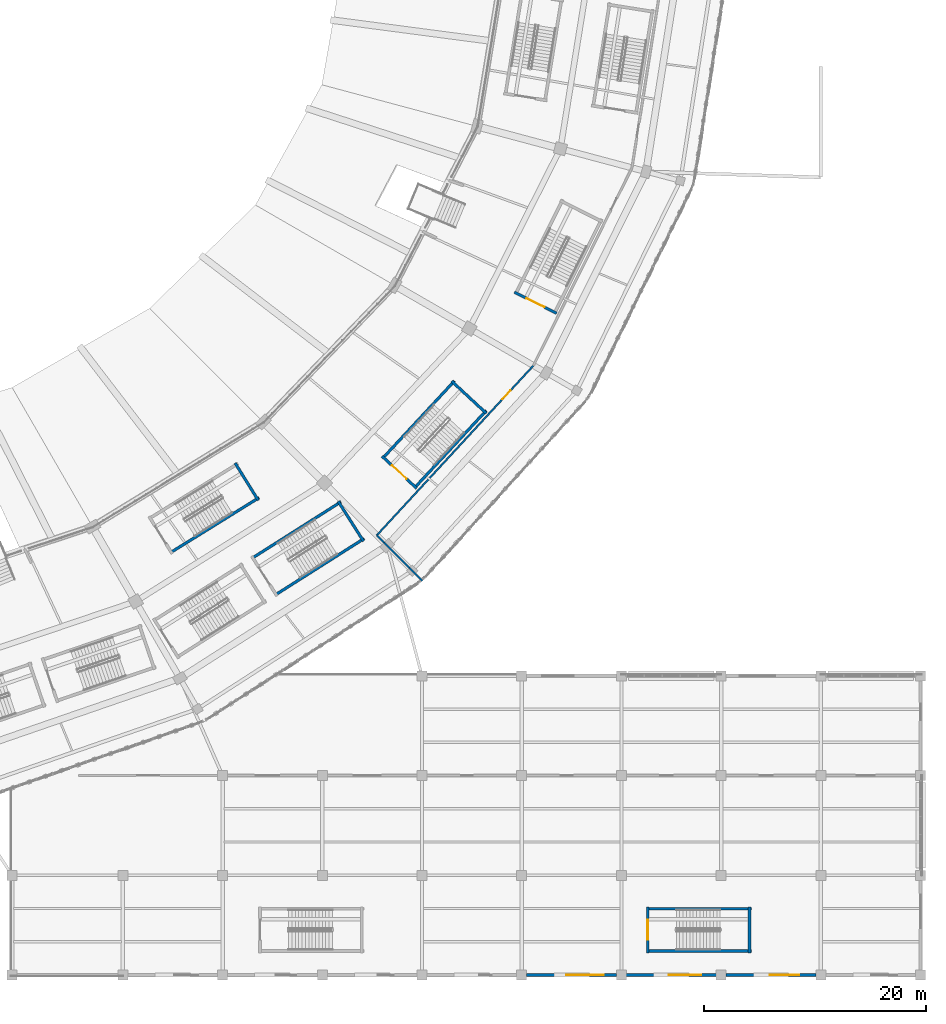
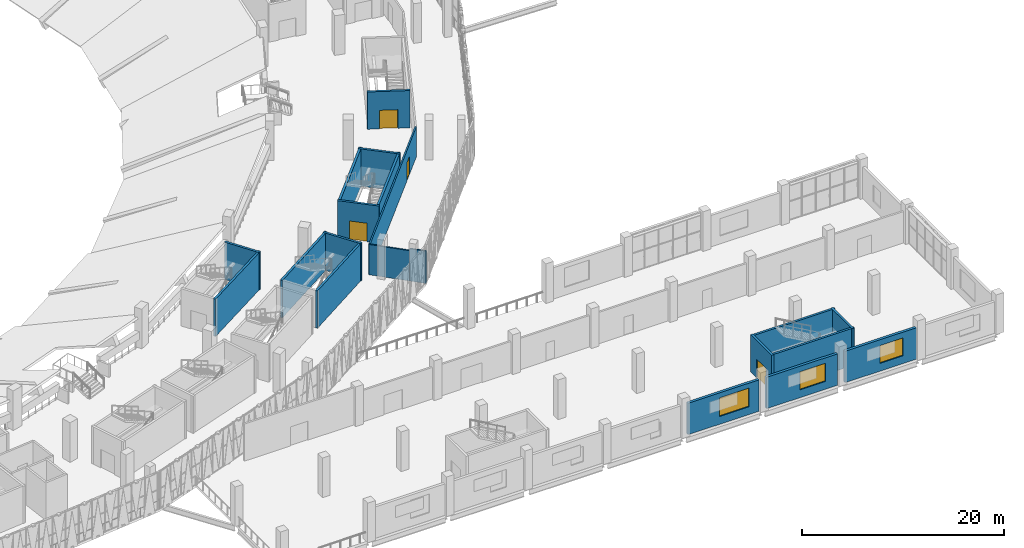
# One storey, part 103 of 183: 21 walls, 4 doors, 3 windows, 7 openings.
"""IFC4 building model written with IfcOpenShell, lengths in metres."""

from ifc_helpers import new_model, si_unit, direction, frame, frame_2d, origin, place, context, subcontext, project, spatial, rectangle, extrude, material, layer, layer_set, type_object, element, fill, save


model = new_model("IFC4")

# Units and contexts
model_context = context("Model", 3, precision=1e-05, world=origin(), true_north=direction((0.0, 1.0)))
body_context = subcontext(model_context, "Body", "Model", "MODEL_VIEW")
ifc_project = project(units=[si_unit("LENGTHUNIT", "METRE"), si_unit("AREAUNIT", "SQUARE_METRE"), si_unit("VOLUMEUNIT", "CUBIC_METRE"), si_unit("PLANEANGLEUNIT", "RADIAN"), si_unit("MASSUNIT", "GRAM", prefix="KILO")], contexts=[model_context])

# Site, building, storey
site_placement = place(None, origin())
site = spatial("IfcSite", under=ifc_project, at=site_placement, CompositionType="ELEMENT")
building_placement = place(site_placement, origin())
building = spatial("IfcBuilding", under=site, at=building_placement, Name="Zevraka Park Crest Stadium", CompositionType="ELEMENT")
storey_placement = place(building_placement, frame((0.0, 0.0, 5.39990234375)))
storey = spatial("IfcBuildingStorey", under=building, at=storey_placement, Name="L01", CompositionType="ELEMENT", Elevation=5.39990234375)

# Wall, opening, window
ifc_material_1 = material(Name="Limestone and red clay brick masonry", Category="masonry")
ifc_layer_1 = layer(ifc_material_1, 0.300048828125)
ifc_layer_set_1 = layer_set([ifc_layer_1], Name="Limestone and red clay brick masonry")
wall_type_1 = type_object("IfcWallType", Name="EW02", PredefinedType="STANDARD", material=ifc_layer_set_1)
wall_1_placement = place(storey_placement, frame((214.574951171875, 0.0, 0.0), z_axis=(0.0, 0.0, 1.0), x_axis=(-1.0, 0.0, 0.0)))
wall_1 = element("IfcWall", 1, at=wall_1_placement, inside=storey, type_object=wall_type_1, Name="Wing External Cavity Wall EW02 L01-SE-S1-2", PredefinedType="STANDARD", context=body_context, shape_type="SweptSolid", body=[
    extrude(rectangle(XDim=8.14990234375, YDim=0.300048828125, at=frame_2d((4.074951171875, 0.0))), origin(), (0.0, 0.0, 1.0), 3.8037109375),
])
opening_1_placement = place(wall_1_placement, frame((1.527099609375, 0.0, 0.949951171875)))
opening_1 = element("IfcOpeningElement", 2, at=opening_1_placement, cuts=wall_1, Name="Opening WN22", PredefinedType="OPENING", context=body_context, shape_type="SweptSolid", body=[
    extrude(rectangle(XDim=2.64990234375, YDim=2.14990234375, at=frame_2d((1.324951171875, 1.074951171875))), frame((0.0, 0.159912109375, 0.0), z_axis=(0.0, -1.0, 0.0), x_axis=(1.0, 0.0, 0.0)), (0.0, 0.0, 1.0), 0.320068359375),
])
ifc_material_2 = material(Name="Solar-control laminated double glazing in aluminium frame", Category="aluminium")
window_type_1 = type_object("IfcWindowType", Name="WN22", PartitioningType="SINGLE_PANEL", PredefinedType="WINDOW", material=ifc_material_2)
window_1_placement = place(opening_1_placement, origin())
window_1 = element("IfcWindow", 3, at=window_1_placement, inside=storey, type_object=window_type_1, Name="Facade Casement Window WN22 W-L01-104", OverallHeight=2.14990234375, OverallWidth=2.64990234375, PartitioningType="SINGLE_PANEL", PredefinedType="WINDOW", context=body_context, shape_type="SweptSolid", body=[
    extrude(rectangle(XDim=2.64990234375, YDim=2.14990234375, at=frame_2d((1.324951171875, 1.074951171875))), frame((0.0, 0.030029296875, 0.0), z_axis=(0.0, -1.0, 0.0), x_axis=(1.0, 0.0, 0.0)), (0.0, 0.0, 1.0), 0.06005859375),
])
fill(opening_1, window_1)

wall_2_placement = place(storey_placement, frame((205.574951171875, 0.0, 0.0), z_axis=(0.0, 0.0, 1.0), x_axis=(-1.0, 0.0, 0.0)))
wall_2 = element("IfcWall", 4, at=wall_2_placement, inside=storey, type_object=wall_type_1, Name="Wing External Cavity Wall EW02 L01-SE-S1-3", PredefinedType="STANDARD", context=body_context, shape_type="SweptSolid", body=[
    extrude(rectangle(XDim=8.14990234375, YDim=0.300048828125, at=frame_2d((4.074951171875, 0.0))), origin(), (0.0, 0.0, 1.0), 3.8037109375),
])
opening_2_placement = place(wall_2_placement, frame((1.376953125, 0.0, 0.949951171875)))
opening_2 = element("IfcOpeningElement", 5, at=opening_2_placement, cuts=wall_2, Name="Opening WN23", PredefinedType="OPENING", context=body_context, shape_type="SweptSolid", body=[
    extrude(rectangle(XDim=2.949951171875, YDim=2.199951171875, at=frame_2d((1.47509765625, 1.10009765625))), frame((0.0, 0.159912109375, 0.0), z_axis=(0.0, -1.0, 0.0), x_axis=(1.0, 0.0, 0.0)), (0.0, 0.0, 1.0), 0.320068359375),
])
ifc_material_3 = material(Name="Solar-control laminated double glazing in aluminium frame", Category="aluminium")
window_type_2 = type_object("IfcWindowType", Name="WN23", PartitioningType="SINGLE_PANEL", PredefinedType="WINDOW", material=ifc_material_3)
window_2_placement = place(opening_2_placement, origin())
window_2 = element("IfcWindow", 6, at=window_2_placement, inside=storey, type_object=window_type_2, Name="Facade Casement Window WN23 W-L01-105", OverallHeight=2.199951171875, OverallWidth=2.949951171875, PartitioningType="SINGLE_PANEL", PredefinedType="WINDOW", context=body_context, shape_type="SweptSolid", body=[
    extrude(rectangle(XDim=2.949951171875, YDim=2.199951171875, at=frame_2d((1.47509765625, 1.10009765625))), frame((0.0, 0.030029296875, 0.0), z_axis=(0.0, -1.0, 0.0), x_axis=(1.0, 0.0, 0.0)), (0.0, 0.0, 1.0), 0.06005859375),
])
fill(opening_2, window_2)

wall_3_placement = place(storey_placement, frame((196.574951171875, 0.0, 0.0), z_axis=(0.0, 0.0, 1.0), x_axis=(-1.0, 0.0, 0.0)))
wall_3 = element("IfcWall", 7, at=wall_3_placement, inside=storey, type_object=wall_type_1, Name="Wing External Cavity Wall EW02 L01-SE-S1-4", PredefinedType="STANDARD", context=body_context, shape_type="SweptSolid", body=[
    extrude(rectangle(XDim=8.14990234375, YDim=0.300048828125, at=frame_2d((4.074951171875, 0.0))), origin(), (0.0, 0.0, 1.0), 3.8037109375),
])
opening_3_placement = place(wall_3_placement, frame((1.152099609375, 0.0, 0.949951171875)))
opening_3 = element("IfcOpeningElement", 8, at=opening_3_placement, cuts=wall_3, Name="Opening WN24", PredefinedType="OPENING", context=body_context, shape_type="SweptSolid", body=[
    extrude(rectangle(XDim=3.39990234375, YDim=2.25, at=frame_2d((1.699951171875, 1.125))), frame((0.0, 0.159912109375, 0.0), z_axis=(0.0, -1.0, 0.0), x_axis=(1.0, 0.0, 0.0)), (0.0, 0.0, 1.0), 0.320068359375),
])
ifc_material_4 = material(Name="Solar-control laminated double glazing in aluminium frame", Category="aluminium")
window_type_3 = type_object("IfcWindowType", Name="WN24", PartitioningType="SINGLE_PANEL", PredefinedType="WINDOW", material=ifc_material_4)
window_3_placement = place(opening_3_placement, origin())
window_3 = element("IfcWindow", 9, at=window_3_placement, inside=storey, type_object=window_type_3, Name="Facade Casement Window WN24 W-L01-106", OverallHeight=2.25, OverallWidth=3.39990234375, PartitioningType="SINGLE_PANEL", PredefinedType="WINDOW", context=body_context, shape_type="SweptSolid", body=[
    extrude(rectangle(XDim=3.39990234375, YDim=2.25, at=frame_2d((1.699951171875, 1.125))), frame((0.0, 0.030029296875, 0.0), z_axis=(0.0, -1.0, 0.0), x_axis=(1.0, 0.0, 0.0)), (0.0, 0.0, 1.0), 0.06005859375),
])
fill(opening_3, window_3)

# Wall, opening, door
ifc_material_5 = material(Name="Fire-rated twin-stud acoustic drywall", Category="other")
ifc_layer_2 = layer(ifc_material_5, 0.159912109375)
ifc_layer_set_2 = layer_set([ifc_layer_2], Name="Fire-rated twin-stud acoustic drywall")
wall_type_2 = type_object("IfcWallType", Name="IW02", PredefinedType="PARTITIONING", material=ifc_layer_set_2)
wall_4_placement = place(storey_placement, frame((174.91796875, 39.68798828125, 0.0), z_axis=(0.0, 0.0, 1.0), x_axis=(0.678220768878, 0.734858209903, 0.0)))
wall_4 = element("IfcWall", 10, at=wall_4_placement, inside=storey, type_object=wall_type_2, Name="Interior Partition IW02 Concourse Stockroom and Store L01", PredefinedType="PARTITIONING", context=body_context, shape_type="SweptSolid", body=[
    extrude(rectangle(XDim=20.850341796875, YDim=0.159912109375, at=frame_2d((10.42529296875, 0.0))), origin(), (0.0, 0.0, 1.0), 3.6650390625),
])
opening_4_placement = place(wall_4_placement, frame((16.7080078125, 0.0, 0.0)))
opening_4 = element("IfcOpeningElement", 11, at=opening_4_placement, cuts=wall_4, Name="Opening D-L01-380", PredefinedType="OPENING", context=body_context, shape_type="SweptSolid", body=[
    extrude(rectangle(XDim=1.080078125, YDim=2.199951171875, at=frame_2d((0.5400390625, 1.10009765625))), frame((0.0, 0.08984375, 0.0), z_axis=(0.0, -1.0, 0.0), x_axis=(1.0, 0.0, 0.0)), (0.0, 0.0, 1.0), 0.179931640625),
])
ifc_material_6 = material(Name="Solid-core hardwood timber leaf in steel frame", Category="steel")
door_type_1 = type_object("IfcDoorType", Name="DR22", OperationType="NOTDEFINED", PredefinedType="DOOR", material=ifc_material_6)
door_1_placement = place(opening_4_placement, origin())
door_1 = element("IfcDoor", 12, at=door_1_placement, inside=storey, type_object=door_type_1, Name="Concourse Stockroom and Store Door D-L01-380", OperationType="SINGLE_SWING_RIGHT", OverallHeight=2.199951171875, OverallWidth=1.080078125, PredefinedType="DOOR", context=body_context, shape_type="SweptSolid", body=[
    extrude(rectangle(XDim=1.080078125, YDim=2.199951171875, at=frame_2d((0.5400390625, 1.10009765625))), frame((0.0, 0.02490234375, 0.0), z_axis=(0.0, -1.0, 0.0), x_axis=(1.0, 0.0, 0.0)), (0.0, 0.0, 1.0), 0.050048828125),
])
fill(opening_4, door_1)

# Walls
wall_5_placement = place(storey_placement, frame((174.91796875, 39.68798828125, 0.0), z_axis=(0.0, 0.0, 1.0), x_axis=(0.707237352097, -0.706976186162, 0.0)))
element("IfcWall", 13, at=wall_5_placement, inside=storey, type_object=wall_type_2, Name="Interior Partition IW02 Concourse Stockroom and Store L01", PredefinedType="PARTITIONING", context=body_context, shape_type="SweptSolid", body=[
    extrude(rectangle(XDim=0.934814453125, YDim=0.159912109375, at=frame_2d((0.46728515625, 0.0))), origin(), (0.0, 0.0, 1.0), 3.6650390625),
])
wall_6_placement = place(storey_placement, frame((175.568115234375, 39.037109375, 0.0), z_axis=(0.0, 0.0, 1.0), x_axis=(0.70740812646, -0.706805307435, 0.0)))
element("IfcWall", 14, at=wall_6_placement, inside=storey, type_object=wall_type_2, Name="Interior Partition IW02 Concourse Stockroom and Store L01", PredefinedType="PARTITIONING", context=body_context, shape_type="SweptSolid", body=[
    extrude(rectangle(XDim=3.239990234375, YDim=0.159912109375, at=frame_2d((1.6201171875, 0.0))), origin(), (0.0, 0.0, 1.0), 3.6650390625),
])
wall_7_placement = place(storey_placement, frame((177.84912109375, 36.758056640625, 0.0), z_axis=(0.0, 0.0, 1.0), x_axis=(0.707033932397, -0.707179622472, 0.0)))
element("IfcWall", 15, at=wall_7_placement, inside=storey, type_object=wall_type_2, Name="Interior Partition IW02 Concourse Stockroom and Store L01", PredefinedType="PARTITIONING", context=body_context, shape_type="SweptSolid", body=[
    extrude(rectangle(XDim=1.67578125, YDim=0.159912109375, at=frame_2d((0.837890625, 0.0))), origin(), (0.0, 0.0, 1.0), 3.9150390625),
])
ifc_material_7 = material(Name="Concrete C40/50", Category="concrete")
ifc_layer_3 = layer(ifc_material_7, 0.25)
ifc_layer_set_3 = layer_set([ifc_layer_3], Name="Concrete C40/50")
wall_type_3 = type_object("IfcWallType", Name="SW01", PredefinedType="SHEAR", material=ifc_layer_set_3)
wall_8_placement = place(storey_placement, frame((178.3056640625, 43.952392578125, 0.0), z_axis=(0.0, 0.0, 1.0), x_axis=(0.680257902718, 0.7329728411, 0.0)))
element("IfcWall", 16, at=wall_8_placement, inside=storey, type_object=wall_type_3, Name="Stair Core Shear Wall SW01 ST22 L01 left", PredefinedType="SHEAR", context=body_context, shape_type="SweptSolid", body=[
    extrude(rectangle(XDim=9.5498046875, YDim=0.25, at=frame_2d((4.77490234375, 0.0))), origin(), (0.0, 0.0, 1.0), 4.52001953125),
])
wall_9_placement = place(storey_placement, frame((181.9287109375, 53.618896484375, 0.0), z_axis=(0.0, 0.0, 1.0), x_axis=(-0.680245155897, -0.732984670971, 0.0)))
element("IfcWall", 17, at=wall_9_placement, inside=storey, type_object=wall_type_3, Name="Stair Core Shear Wall SW01 ST22 L01 right", PredefinedType="SHEAR", context=body_context, shape_type="SweptSolid", body=[
    extrude(rectangle(XDim=9.550048828125, YDim=0.25, at=frame_2d((4.77490234375, 0.0))), origin(), (0.0, 0.0, 1.0), 4.52001953125),
])

# Wall, opening, door
wall_10_placement = place(storey_placement, frame((175.392822265625, 46.826171875, 0.0), z_axis=(0.0, 0.0, 1.0), x_axis=(0.73295064559, -0.680281817433, 0.0)))
wall_10 = element("IfcWall", 18, at=wall_10_placement, inside=storey, type_object=wall_type_3, Name="Stair Core Shear Wall SW01 ST22 L01 near", PredefinedType="SHEAR", context=body_context, shape_type="SweptSolid", body=[
    extrude(rectangle(XDim=4.260009765625, YDim=0.25, at=frame_2d((2.1298828125, 0.0))), origin(), (0.0, 0.0, 1.0), 4.52001953125),
])
opening_5_placement = place(wall_10_placement, frame((1.22998046875, 0.0, 0.0)))
opening_5 = element("IfcOpeningElement", 19, at=opening_5_placement, cuts=wall_10, Name="Opening D-L01-131", PredefinedType="OPENING", context=body_context, shape_type="SweptSolid", body=[
    extrude(rectangle(XDim=1.800048828125, YDim=2.25, at=frame_2d((0.89990234375, 1.125))), frame((0.0, 0.135009765625, 0.0), z_axis=(0.0, -1.0, 0.0), x_axis=(1.0, 0.0, 0.0)), (0.0, 0.0, 1.0), 0.27001953125),
])
ifc_material_8 = material(Name="Solid-core hardwood timber leaf in steel frame", Category="steel")
door_type_2 = type_object("IfcDoorType", Name="DR04", OperationType="NOTDEFINED", PredefinedType="DOOR", material=ifc_material_8)
door_2_placement = place(opening_5_placement, origin())
door_2 = element("IfcDoor", 20, at=door_2_placement, inside=storey, type_object=door_type_2, Name="Protected Stair Entry Door ST22 L01", OperationType="DOUBLE_DOOR_SINGLE_SWING", OverallHeight=2.25, OverallWidth=1.800048828125, PredefinedType="DOOR", context=body_context, shape_type="SweptSolid", body=[
    extrude(rectangle(XDim=1.800048828125, YDim=2.25, at=frame_2d((0.89990234375, 1.125))), frame((0.0, 0.02490234375, 0.0), z_axis=(0.0, -1.0, 0.0), x_axis=(1.0, 0.0, 0.0)), (0.0, 0.0, 1.0), 0.050048828125),
])
fill(opening_5, door_2)

# Wall
wall_11_placement = place(storey_placement, frame((184.80078125, 50.700927734375, 0.0), z_axis=(0.0, 0.0, 1.0), x_axis=(-0.732977166505, 0.680253242096, 0.0)))
element("IfcWall", 21, at=wall_11_placement, inside=storey, type_object=wall_type_3, Name="Stair Core Shear Wall SW01 ST22 L01 far", PredefinedType="SHEAR", context=body_context, shape_type="SweptSolid", body=[
    extrude(rectangle(XDim=4.260009765625, YDim=0.25, at=frame_2d((2.1298828125, 0.0))), origin(), (0.0, 0.0, 1.0), 4.52001953125),
])

# Wall, opening, door
wall_12_placement = place(storey_placement, frame((187.335693359375, 61.63037109375, 0.0), z_axis=(0.0, 0.0, 1.0), x_axis=(0.894071595331, -0.447924081092, 0.0)))
wall_12 = element("IfcWall", 22, at=wall_12_placement, inside=storey, type_object=wall_type_3, Name="Stair Core Shear Wall SW01 ST23 L01 near", PredefinedType="SHEAR", context=body_context, shape_type="SweptSolid", body=[
    extrude(rectangle(XDim=4.260009765625, YDim=0.25, at=frame_2d((2.1298828125, 0.0))), origin(), (0.0, 0.0, 1.0), 4.52001953125),
])
opening_6_placement = place(wall_12_placement, frame((1.22998046875, 0.0, 0.0)))
opening_6 = element("IfcOpeningElement", 23, at=opening_6_placement, cuts=wall_12, Name="Opening D-L01-136", PredefinedType="OPENING", context=body_context, shape_type="SweptSolid", body=[
    extrude(rectangle(XDim=1.800048828125, YDim=2.25, at=frame_2d((0.89990234375, 1.125))), frame((0.0, 0.135009765625, 0.0), z_axis=(0.0, -1.0, 0.0), x_axis=(1.0, 0.0, 0.0)), (0.0, 0.0, 1.0), 0.27001953125),
])
door_3_placement = place(opening_6_placement, origin())
door_3 = element("IfcDoor", 24, at=door_3_placement, inside=storey, type_object=door_type_2, Name="Protected Stair Entry Door ST23 L01", OperationType="DOUBLE_DOOR_SINGLE_SWING", OverallHeight=2.25, OverallWidth=1.800048828125, PredefinedType="DOOR", context=body_context, shape_type="SweptSolid", body=[
    extrude(rectangle(XDim=1.800048828125, YDim=2.25, at=frame_2d((0.89990234375, 1.125))), frame((0.0, 0.02490234375, 0.0), z_axis=(0.0, -1.0, 0.0), x_axis=(1.0, 0.0, 0.0)), (0.0, 0.0, 1.0), 0.050048828125),
])
fill(opening_6, door_3)

# Walls
for number, where, z_axis, x_axis, name in (
    (25, (165.71875, 34.281494140625, 0.0), (0.0, 0.0, 1.0), (0.844391246241, 0.535727004427, 0.0), "Stair Core Shear Wall SW01 ST32 L01 left"),
    (26, (171.6826171875, 42.707763671875, 0.0), (0.0, 0.0, 1.0), (-0.844391246241, -0.535727004427, 0.0), "Stair Core Shear Wall SW01 ST32 L01 right"),
):
    element("IfcWall", number, at=place(storey_placement, frame(where, z_axis=z_axis, x_axis=x_axis)), inside=storey, type_object=wall_type_3, Name=name, PredefinedType="SHEAR", context=body_context, shape_type="SweptSolid", body=[
        extrude(rectangle(XDim=9.550048828125, YDim=0.25, at=frame_2d((4.77490234375, 0.0))), origin(), (0.0, 0.0, 1.0), 4.52001953125),
    ])
wall_13_placement = place(storey_placement, frame((173.717529296875, 39.155029296875, 0.0), z_axis=(0.0, 0.0, 1.0), x_axis=(-0.535684577572, 0.844418162613, 0.0)))
element("IfcWall", 27, at=wall_13_placement, inside=storey, type_object=wall_type_3, Name="Stair Core Shear Wall SW01 ST32 L01 far", PredefinedType="SHEAR", context=body_context, shape_type="SweptSolid", body=[
    extrude(rectangle(XDim=4.260009765625, YDim=0.25, at=frame_2d((2.1298828125, 0.0))), origin(), (0.0, 0.0, 1.0), 4.52001953125),
])
wall_14_placement = place(storey_placement, frame((156.2578125, 38.101318359375, 0.0), z_axis=(0.0, 0.0, 1.0), x_axis=(0.849696444565, 0.527272180277, 0.0)))
element("IfcWall", 28, at=wall_14_placement, inside=storey, type_object=wall_type_3, Name="Stair Core Shear Wall SW01 ST43 L01 left", PredefinedType="SHEAR", context=body_context, shape_type="SweptSolid", body=[
    extrude(rectangle(XDim=9.449951171875, YDim=0.25, at=frame_2d((4.72509765625, 0.0))), origin(), (0.0, 0.0, 1.0), 4.52001953125),
])
wall_15_placement = place(storey_placement, frame((164.2197265625, 42.842041015625, 0.0), z_axis=(0.0, 0.0, 1.0), x_axis=(-0.527258497125, 0.84970493538, 0.0)))
element("IfcWall", 29, at=wall_15_placement, inside=storey, type_object=wall_type_3, Name="Stair Core Shear Wall SW01 ST43 L01 far", PredefinedType="SHEAR", context=body_context, shape_type="SweptSolid", body=[
    extrude(rectangle(XDim=3.9599609375, YDim=0.25, at=frame_2d((1.97998046875, 0.0))), origin(), (0.0, 0.0, 1.0), 4.52001953125),
])
for number, where, z_axis, x_axis, name in (
    (30, (199.25, 2.169921875, 0.0), (0.0, 0.0, 1.0), (1.0, 0.0, 0.0), "Stair Core Shear Wall SW01 ST54 L01 left"),
    (31, (208.75, 5.989990234375, 0.0), (0.0, 0.0, 1.0), (-1.0, 0.0, 0.0), "Stair Core Shear Wall SW01 ST54 L01 right"),
):
    element("IfcWall", number, at=place(storey_placement, frame(where, z_axis=z_axis, x_axis=x_axis)), inside=storey, type_object=wall_type_3, Name=name, PredefinedType="SHEAR", context=body_context, shape_type="SweptSolid", body=[
        extrude(rectangle(XDim=9.5, YDim=0.25, at=frame_2d((4.75, 0.0))), origin(), (0.0, 0.0, 1.0), 4.52001953125),
    ])

# Wall, opening, door
wall_16_placement = place(storey_placement, frame((199.375, 6.159912109375, 0.0), z_axis=(0.0, 0.0, 1.0), x_axis=(0.0, -1.0, 0.0)))
wall_16 = element("IfcWall", 32, at=wall_16_placement, inside=storey, type_object=wall_type_3, Name="Stair Core Shear Wall SW01 ST54 L01 near", PredefinedType="SHEAR", context=body_context, shape_type="SweptSolid", body=[
    extrude(rectangle(XDim=4.159912109375, YDim=0.25, at=frame_2d((2.080078125, 0.0))), origin(), (0.0, 0.0, 1.0), 4.52001953125),
])
opening_7_placement = place(wall_16_placement, frame((1.179931640625, 0.0, 0.0)))
opening_7 = element("IfcOpeningElement", 33, at=opening_7_placement, cuts=wall_16, Name="Opening D-L01-280", PredefinedType="OPENING", context=body_context, shape_type="SweptSolid", body=[
    extrude(rectangle(XDim=1.800048828125, YDim=2.25, at=frame_2d((0.89990234375, 1.125))), frame((0.0, 0.135009765625, 0.0), z_axis=(0.0, -1.0, 0.0), x_axis=(1.0, 0.0, 0.0)), (0.0, 0.0, 1.0), 0.27001953125),
])
door_4_placement = place(opening_7_placement, origin())
door_4 = element("IfcDoor", 34, at=door_4_placement, inside=storey, type_object=door_type_2, Name="Protected Stair Entry Door ST54 L01", OperationType="DOUBLE_DOOR_SINGLE_SWING", OverallHeight=2.25, OverallWidth=1.800048828125, PredefinedType="DOOR", context=body_context, shape_type="SweptSolid", body=[
    extrude(rectangle(XDim=1.800048828125, YDim=2.25, at=frame_2d((0.89990234375, 1.125))), frame((0.0, 0.02490234375, 0.0), z_axis=(0.0, -1.0, 0.0), x_axis=(1.0, 0.0, 0.0)), (0.0, 0.0, 1.0), 0.050048828125),
])
fill(opening_7, door_4)

# Wall
wall_17_placement = place(storey_placement, frame((208.56494140625, 2.0, 0.0), z_axis=(0.0, 0.0, 1.0), x_axis=(0.0, 1.0, 0.0)))
element("IfcWall", 35, at=wall_17_placement, inside=storey, type_object=wall_type_3, Name="Stair Core Shear Wall SW01 ST54 L01 far", PredefinedType="SHEAR", context=body_context, shape_type="SweptSolid", body=[
    extrude(rectangle(XDim=4.159912109375, YDim=0.25, at=frame_2d((2.080078125, 0.0))), origin(), (0.0, 0.0, 1.0), 4.52001953125),
])

save(model, "model.ifc")
